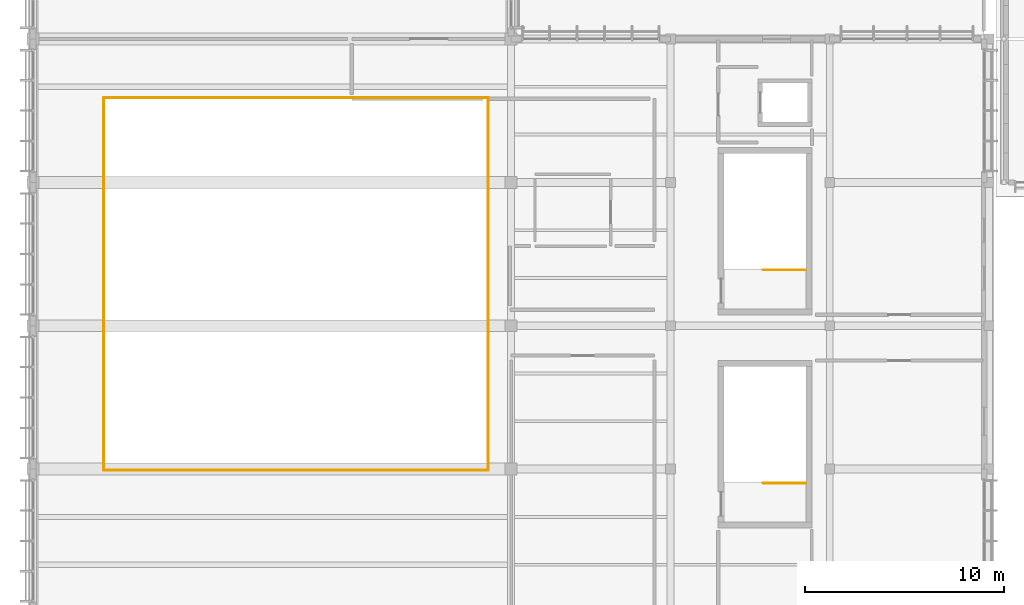
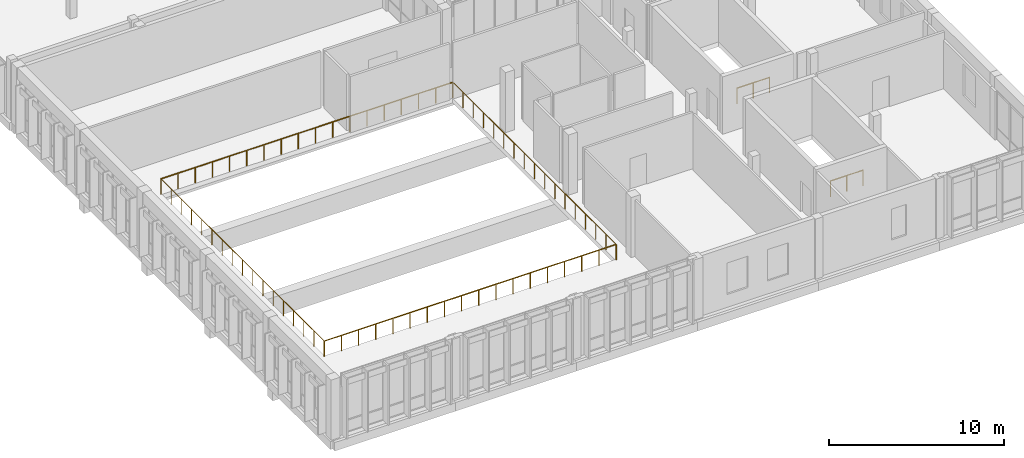
# One storey, part 177 of 182: 6 railings.
"""IFC4 building model written with IfcOpenShell, lengths in metres."""

from ifc_helpers import new_model, si_unit, direction, frame, origin, origin_2d, place, context, subcontext, project, spatial, circle, extrude, material, layer, layer_set, type_object, element, save


model = new_model("IFC4")

# Units and contexts
model_context = context("Model", 3, precision=1e-05, world=origin(), true_north=direction((0.0, 1.0)))
body_context = subcontext(model_context, "Body", "Model", "MODEL_VIEW")
ifc_project = project(units=[si_unit("LENGTHUNIT", "METRE"), si_unit("AREAUNIT", "SQUARE_METRE"), si_unit("VOLUMEUNIT", "CUBIC_METRE"), si_unit("PLANEANGLEUNIT", "RADIAN"), si_unit("MASSUNIT", "GRAM", prefix="KILO")], contexts=[model_context])

# Site, building, storey
site_placement = place(None, origin())
site = spatial("IfcSite", under=ifc_project, at=site_placement, CompositionType="ELEMENT")
building_placement = place(site_placement, origin())
building = spatial("IfcBuilding", under=site, at=building_placement, Name="Chiffa Square Polytechnic", CompositionType="ELEMENT")
storey_placement = place(building_placement, frame((0.0, 0.0, 9.60009765625)))
storey = spatial("IfcBuildingStorey", under=building, at=storey_placement, Name="L02", CompositionType="ELEMENT", Elevation=9.60009765625)

# Railings
ifc_material = material(Name="Steel S355", Category="steel")
ifc_layer = layer(ifc_material, 0.050048828125, Name="Steel S355")
ifc_layer_set = layer_set([ifc_layer], Name="Steel S355")
railing_type = type_object("IfcRailingType", Name="RL-STAIR-GUARD", PredefinedType="GUARDRAIL", material=ifc_layer_set)
for number, where, name in (
    (1, (38.800048828125, 6.5, 0.0), "L02 ST-V3A top well guard 1"),
    (2, (38.800048828125, 17.199951171875, 0.0), "L02 ST-V3B top well guard 1"),
):
    element("IfcRailing", number, at=place(storey_placement, frame(where)), inside=storey, type_object=railing_type, Name=name, PredefinedType="GUARDRAIL", context=body_context, shape_type="SweptSolid", body=[
        extrude(circle(Radius=0.02392578125, at=origin_2d()), frame((0.0, 0.0, 1.076171875), z_axis=(-1.0, 0.0, 0.0), x_axis=(0.0, -1.0, 0.0)), (0.0, 0.0, 1.0), 2.150146484375),
        extrude(circle(Radius=0.02099609375, at=origin_2d()), origin(), (0.0, 0.0, 1.0), 1.052001953125),
        extrude(circle(Radius=0.02099609375, at=origin_2d()), frame((-1.0751953125, 0.0, 0.0)), (0.0, 0.0, 1.0), 1.052001953125),
        extrude(circle(Radius=0.02099609375, at=origin_2d()), frame((-2.150146484375, 0.0, 0.0)), (0.0, 0.0, 1.0), 1.052001953125),
    ])
railing_1_placement = place(storey_placement, frame((3.550048828125, 7.14990234375, 0.0)))
element("IfcRailing", 3, at=railing_1_placement, inside=storey, type_object=railing_type, Name="Atrium void guard GR-VOID-V3-L02-1", PredefinedType="GUARDRAIL", context=body_context, shape_type="SweptSolid", body=[
    extrude(circle(Radius=0.02392578125, at=origin_2d()), frame((0.0, 0.0, 1.076171875), z_axis=(1.0, 0.0, 0.0), x_axis=(0.0, 1.0, 0.0)), (0.0, 0.0, 1.0), 19.300048828125),
    extrude(circle(Radius=0.02099609375, at=origin_2d()), origin(), (0.0, 0.0, 1.0), 1.052001953125),
    extrude(circle(Radius=0.02099609375, at=origin_2d()), frame((1.13525390625, 0.0, 0.0)), (0.0, 0.0, 1.0), 1.052001953125),
    extrude(circle(Radius=0.02099609375, at=origin_2d()), frame((2.2705078125, 0.0, 0.0)), (0.0, 0.0, 1.0), 1.052001953125),
    extrude(circle(Radius=0.02099609375, at=origin_2d()), frame((3.406005859375, 0.0, 0.0)), (0.0, 0.0, 1.0), 1.052001953125),
    extrude(circle(Radius=0.02099609375, at=origin_2d()), frame((4.541259765625, 0.0, 0.0)), (0.0, 0.0, 1.0), 1.052001953125),
    extrude(circle(Radius=0.02099609375, at=origin_2d()), frame((5.676513671875, 0.0, 0.0)), (0.0, 0.0, 1.0), 1.052001953125),
    extrude(circle(Radius=0.02099609375, at=origin_2d()), frame((6.811767578125, 0.0, 0.0)), (0.0, 0.0, 1.0), 1.052001953125),
    extrude(circle(Radius=0.02099609375, at=origin_2d()), frame((7.947021484375, 0.0, 0.0)), (0.0, 0.0, 1.0), 1.052001953125),
    extrude(circle(Radius=0.02099609375, at=origin_2d()), frame((9.082275390625, 0.0, 0.0)), (0.0, 0.0, 1.0), 1.052001953125),
    extrude(circle(Radius=0.02099609375, at=origin_2d()), frame((10.2177734375, 0.0, 0.0)), (0.0, 0.0, 1.0), 1.052001953125),
    extrude(circle(Radius=0.02099609375, at=origin_2d()), frame((11.35302734375, 0.0, 0.0)), (0.0, 0.0, 1.0), 1.052001953125),
    extrude(circle(Radius=0.02099609375, at=origin_2d()), frame((12.48828125, 0.0, 0.0)), (0.0, 0.0, 1.0), 1.052001953125),
    extrude(circle(Radius=0.02099609375, at=origin_2d()), frame((13.62353515625, 0.0, 0.0)), (0.0, 0.0, 1.0), 1.052001953125),
    extrude(circle(Radius=0.02099609375, at=origin_2d()), frame((14.7587890625, 0.0, 0.0)), (0.0, 0.0, 1.0), 1.052001953125),
    extrude(circle(Radius=0.02099609375, at=origin_2d()), frame((15.89404296875, 0.0, 0.0)), (0.0, 0.0, 1.0), 1.052001953125),
    extrude(circle(Radius=0.02099609375, at=origin_2d()), frame((17.029541015625, 0.0, 0.0)), (0.0, 0.0, 1.0), 1.052001953125),
    extrude(circle(Radius=0.02099609375, at=origin_2d()), frame((18.164794921875, 0.0, 0.0)), (0.0, 0.0, 1.0), 1.052001953125),
    extrude(circle(Radius=0.02099609375, at=origin_2d()), frame((19.300048828125, 0.0, 0.0)), (0.0, 0.0, 1.0), 1.052001953125),
])
railing_2_placement = place(storey_placement, frame((22.85009765625, 7.14990234375, 0.0)))
element("IfcRailing", 4, at=railing_2_placement, inside=storey, type_object=railing_type, Name="Atrium void guard GR-VOID-V3-L02-2", PredefinedType="GUARDRAIL", context=body_context, shape_type="SweptSolid", body=[
    extrude(circle(Radius=0.02392578125, at=origin_2d()), frame((0.0, 0.0, 1.076171875), z_axis=(0.0, 1.0, 0.0), x_axis=(-1.0, 0.0, 0.0)), (0.0, 0.0, 1.0), 18.7001953125),
    extrude(circle(Radius=0.02099609375, at=origin_2d()), origin(), (0.0, 0.0, 1.0), 1.052001953125),
    extrude(circle(Radius=0.02099609375, at=origin_2d()), frame((0.0, 1.168701171875, 0.0)), (0.0, 0.0, 1.0), 1.052001953125),
    extrude(circle(Radius=0.02099609375, at=origin_2d()), frame((0.0, 2.33740234375, 0.0)), (0.0, 0.0, 1.0), 1.052001953125),
    extrude(circle(Radius=0.02099609375, at=origin_2d()), frame((0.0, 3.50634765625, 0.0)), (0.0, 0.0, 1.0), 1.052001953125),
    extrude(circle(Radius=0.02099609375, at=origin_2d()), frame((0.0, 4.675048828125, 0.0)), (0.0, 0.0, 1.0), 1.052001953125),
    extrude(circle(Radius=0.02099609375, at=origin_2d()), frame((0.0, 5.84375, 0.0)), (0.0, 0.0, 1.0), 1.052001953125),
    extrude(circle(Radius=0.02099609375, at=origin_2d()), frame((0.0, 7.0126953125, 0.0)), (0.0, 0.0, 1.0), 1.052001953125),
    extrude(circle(Radius=0.02099609375, at=origin_2d()), frame((0.0, 8.181396484375, 0.0)), (0.0, 0.0, 1.0), 1.052001953125),
    extrude(circle(Radius=0.02099609375, at=origin_2d()), frame((0.0, 9.35009765625, 0.0)), (0.0, 0.0, 1.0), 1.052001953125),
    extrude(circle(Radius=0.02099609375, at=origin_2d()), frame((0.0, 10.518798828125, 0.0)), (0.0, 0.0, 1.0), 1.052001953125),
    extrude(circle(Radius=0.02099609375, at=origin_2d()), frame((0.0, 11.6875, 0.0)), (0.0, 0.0, 1.0), 1.052001953125),
    extrude(circle(Radius=0.02099609375, at=origin_2d()), frame((0.0, 12.8564453125, 0.0)), (0.0, 0.0, 1.0), 1.052001953125),
    extrude(circle(Radius=0.02099609375, at=origin_2d()), frame((0.0, 14.025146484375, 0.0)), (0.0, 0.0, 1.0), 1.052001953125),
    extrude(circle(Radius=0.02099609375, at=origin_2d()), frame((0.0, 15.19384765625, 0.0)), (0.0, 0.0, 1.0), 1.052001953125),
    extrude(circle(Radius=0.02099609375, at=origin_2d()), frame((0.0, 16.36279296875, 0.0)), (0.0, 0.0, 1.0), 1.052001953125),
    extrude(circle(Radius=0.02099609375, at=origin_2d()), frame((0.0, 17.531494140625, 0.0)), (0.0, 0.0, 1.0), 1.052001953125),
    extrude(circle(Radius=0.02099609375, at=origin_2d()), frame((0.0, 18.7001953125, 0.0)), (0.0, 0.0, 1.0), 1.052001953125),
])
railing_3_placement = place(storey_placement, frame((22.85009765625, 25.85009765625, 0.0)))
element("IfcRailing", 5, at=railing_3_placement, inside=storey, type_object=railing_type, Name="Atrium void guard GR-VOID-V3-L02-3", PredefinedType="GUARDRAIL", context=body_context, shape_type="SweptSolid", body=[
    extrude(circle(Radius=0.02392578125, at=origin_2d()), frame((0.0, 0.0, 1.076171875), z_axis=(-1.0, 0.0, 0.0), x_axis=(0.0, -1.0, 0.0)), (0.0, 0.0, 1.0), 19.300048828125),
    extrude(circle(Radius=0.02099609375, at=origin_2d()), origin(), (0.0, 0.0, 1.0), 1.052001953125),
    extrude(circle(Radius=0.02099609375, at=origin_2d()), frame((-1.13525390625, 0.0, 0.0)), (0.0, 0.0, 1.0), 1.052001953125),
    extrude(circle(Radius=0.02099609375, at=origin_2d()), frame((-2.2705078125, 0.0, 0.0)), (0.0, 0.0, 1.0), 1.052001953125),
    extrude(circle(Radius=0.02099609375, at=origin_2d()), frame((-3.406005859375, 0.0, 0.0)), (0.0, 0.0, 1.0), 1.052001953125),
    extrude(circle(Radius=0.02099609375, at=origin_2d()), frame((-4.541259765625, 0.0, 0.0)), (0.0, 0.0, 1.0), 1.052001953125),
    extrude(circle(Radius=0.02099609375, at=origin_2d()), frame((-5.676513671875, 0.0, 0.0)), (0.0, 0.0, 1.0), 1.052001953125),
    extrude(circle(Radius=0.02099609375, at=origin_2d()), frame((-6.811767578125, 0.0, 0.0)), (0.0, 0.0, 1.0), 1.052001953125),
    extrude(circle(Radius=0.02099609375, at=origin_2d()), frame((-7.947021484375, 0.0, 0.0)), (0.0, 0.0, 1.0), 1.052001953125),
    extrude(circle(Radius=0.02099609375, at=origin_2d()), frame((-9.082275390625, 0.0, 0.0)), (0.0, 0.0, 1.0), 1.052001953125),
    extrude(circle(Radius=0.02099609375, at=origin_2d()), frame((-10.2177734375, 0.0, 0.0)), (0.0, 0.0, 1.0), 1.052001953125),
    extrude(circle(Radius=0.02099609375, at=origin_2d()), frame((-11.35302734375, 0.0, 0.0)), (0.0, 0.0, 1.0), 1.052001953125),
    extrude(circle(Radius=0.02099609375, at=origin_2d()), frame((-12.48828125, 0.0, 0.0)), (0.0, 0.0, 1.0), 1.052001953125),
    extrude(circle(Radius=0.02099609375, at=origin_2d()), frame((-13.62353515625, 0.0, 0.0)), (0.0, 0.0, 1.0), 1.052001953125),
    extrude(circle(Radius=0.02099609375, at=origin_2d()), frame((-14.7587890625, 0.0, 0.0)), (0.0, 0.0, 1.0), 1.052001953125),
    extrude(circle(Radius=0.02099609375, at=origin_2d()), frame((-15.89404296875, 0.0, 0.0)), (0.0, 0.0, 1.0), 1.052001953125),
    extrude(circle(Radius=0.02099609375, at=origin_2d()), frame((-17.029541015625, 0.0, 0.0)), (0.0, 0.0, 1.0), 1.052001953125),
    extrude(circle(Radius=0.02099609375, at=origin_2d()), frame((-18.164794921875, 0.0, 0.0)), (0.0, 0.0, 1.0), 1.052001953125),
    extrude(circle(Radius=0.02099609375, at=origin_2d()), frame((-19.300048828125, 0.0, 0.0)), (0.0, 0.0, 1.0), 1.052001953125),
])
railing_4_placement = place(storey_placement, frame((3.550048828125, 25.85009765625, 0.0)))
element("IfcRailing", 6, at=railing_4_placement, inside=storey, type_object=railing_type, Name="Atrium void guard GR-VOID-V3-L02-4", PredefinedType="GUARDRAIL", context=body_context, shape_type="SweptSolid", body=[
    extrude(circle(Radius=0.02392578125, at=origin_2d()), frame((0.0, 0.0, 1.076171875), z_axis=(0.0, -1.0, 0.0), x_axis=(1.0, 0.0, 0.0)), (0.0, 0.0, 1.0), 18.7001953125),
    extrude(circle(Radius=0.02099609375, at=origin_2d()), origin(), (0.0, 0.0, 1.0), 1.052001953125),
    extrude(circle(Radius=0.02099609375, at=origin_2d()), frame((0.0, -1.168701171875, 0.0)), (0.0, 0.0, 1.0), 1.052001953125),
    extrude(circle(Radius=0.02099609375, at=origin_2d()), frame((0.0, -2.33740234375, 0.0)), (0.0, 0.0, 1.0), 1.052001953125),
    extrude(circle(Radius=0.02099609375, at=origin_2d()), frame((0.0, -3.50634765625, 0.0)), (0.0, 0.0, 1.0), 1.052001953125),
    extrude(circle(Radius=0.02099609375, at=origin_2d()), frame((0.0, -4.675048828125, 0.0)), (0.0, 0.0, 1.0), 1.052001953125),
    extrude(circle(Radius=0.02099609375, at=origin_2d()), frame((0.0, -5.84375, 0.0)), (0.0, 0.0, 1.0), 1.052001953125),
    extrude(circle(Radius=0.02099609375, at=origin_2d()), frame((0.0, -7.0126953125, 0.0)), (0.0, 0.0, 1.0), 1.052001953125),
    extrude(circle(Radius=0.02099609375, at=origin_2d()), frame((0.0, -8.181396484375, 0.0)), (0.0, 0.0, 1.0), 1.052001953125),
    extrude(circle(Radius=0.02099609375, at=origin_2d()), frame((0.0, -9.35009765625, 0.0)), (0.0, 0.0, 1.0), 1.052001953125),
    extrude(circle(Radius=0.02099609375, at=origin_2d()), frame((0.0, -10.518798828125, 0.0)), (0.0, 0.0, 1.0), 1.052001953125),
    extrude(circle(Radius=0.02099609375, at=origin_2d()), frame((0.0, -11.6875, 0.0)), (0.0, 0.0, 1.0), 1.052001953125),
    extrude(circle(Radius=0.02099609375, at=origin_2d()), frame((0.0, -12.8564453125, 0.0)), (0.0, 0.0, 1.0), 1.052001953125),
    extrude(circle(Radius=0.02099609375, at=origin_2d()), frame((0.0, -14.025146484375, 0.0)), (0.0, 0.0, 1.0), 1.052001953125),
    extrude(circle(Radius=0.02099609375, at=origin_2d()), frame((0.0, -15.19384765625, 0.0)), (0.0, 0.0, 1.0), 1.052001953125),
    extrude(circle(Radius=0.02099609375, at=origin_2d()), frame((0.0, -16.36279296875, 0.0)), (0.0, 0.0, 1.0), 1.052001953125),
    extrude(circle(Radius=0.02099609375, at=origin_2d()), frame((0.0, -17.531494140625, 0.0)), (0.0, 0.0, 1.0), 1.052001953125),
    extrude(circle(Radius=0.02099609375, at=origin_2d()), frame((0.0, -18.7001953125, 0.0)), (0.0, 0.0, 1.0), 1.052001953125),
])

save(model, "model.ifc")
